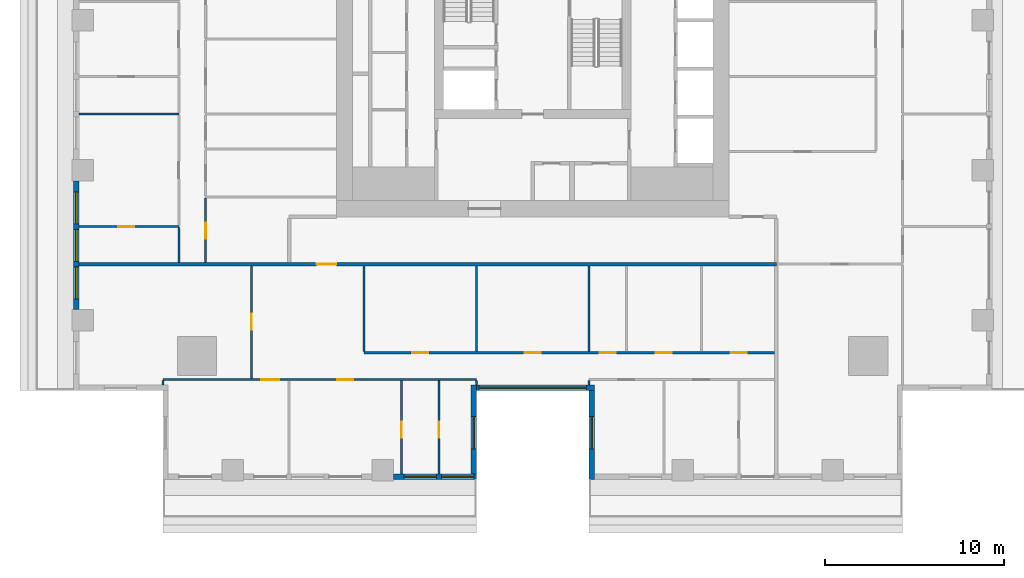
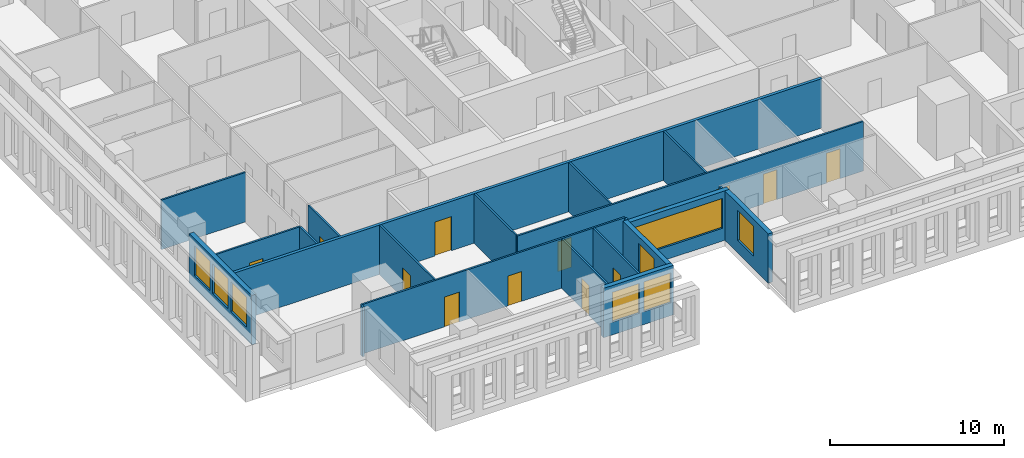
# One storey, part 2 of 15: 21 walls, 13 doors, 8 windows, 21 openings.
"""IFC4 building model written with IfcOpenShell, lengths in metres."""

from ifc_helpers import new_model, si_unit, direction, frame, frame_2d, origin, place, context, subcontext, project, spatial, rectangle, extrude, material, layer, layer_set, type_object, element, fill, save


model = new_model("IFC4")

# Units and contexts
model_context = context("Model", 3, precision=1e-05, world=origin(), true_north=direction((0.0, 1.0)))
body_context = subcontext(model_context, "Body", "Model", "MODEL_VIEW")
ifc_project = project(units=[si_unit("LENGTHUNIT", "METRE"), si_unit("AREAUNIT", "SQUARE_METRE"), si_unit("VOLUMEUNIT", "CUBIC_METRE"), si_unit("PLANEANGLEUNIT", "RADIAN"), si_unit("MASSUNIT", "GRAM", prefix="KILO")], contexts=[model_context])

# Site, building, storey
site_placement = place(None, origin())
site = spatial("IfcSite", under=ifc_project, at=site_placement, CompositionType="ELEMENT")
building_placement = place(site_placement, origin())
building = spatial("IfcBuilding", under=site, at=building_placement, Name="Khepri Terraces", CompositionType="ELEMENT")
storey_placement = place(building_placement, frame((0.0, 0.0, 244.5)))
storey = spatial("IfcBuildingStorey", under=building, at=storey_placement, Name="L58", CompositionType="ELEMENT", Elevation=244.5)

# Wall, opening, door
ifc_material_1 = material(Name="Fire-rated gypsum plasterboard partition, mineral wool")
ifc_layer_1 = layer(ifc_material_1, 0.199951171875, Name="Fire-rated gypsum plasterboard partition, mineral wool")
ifc_layer_set_1 = layer_set([ifc_layer_1], Name="Fire-rated gypsum plasterboard partition, mineral wool")
wall_type_1 = type_object("IfcWallType", Name="WL-CORR-200", PredefinedType="PARTITIONING", material=ifc_layer_set_1)
wall_1_placement = place(storey_placement, frame((-25.419921875, -13.64990234375, 0.0), z_axis=(0.0, 0.0, 1.0), x_axis=(1.0, 0.0, 0.0)))
wall_1 = element("IfcWall", 1, at=wall_1_placement, inside=storey, type_object=wall_type_1, Name="Partition P-020 L58", PredefinedType="PARTITIONING", context=body_context, shape_type="SweptSolid", body=[
    extrude(rectangle(XDim=39.06982421875, YDim=0.199951171875, at=frame_2d((19.534912109375, 0.0))), origin(), (0.0, 0.0, 1.0), 3.47998046875),
])
opening_1_placement = place(wall_1_placement, frame((13.320068359375, 0.0, 0.0)))
opening_1 = element("IfcOpeningElement", 2, at=opening_1_placement, cuts=wall_1, Name="Opening D1", PredefinedType="OPENING", context=body_context, shape_type="SweptSolid", body=[
    extrude(rectangle(XDim=1.10009765625, YDim=2.39990234375, at=frame_2d((0.550048828125, 1.199951171875))), frame((0.0, 0.10986328125, 0.0), z_axis=(0.0, -1.0, 0.0), x_axis=(1.0, 0.0, 0.0)), (0.0, 0.0, 1.0), 0.219970703125),
])
ifc_material_2 = material(Name="Solid-core timber door leaf, flat entrance door", Category="wood")
door_type_1 = type_object("IfcDoorType", Name="DR-ENT-1100", OperationType="NOTDEFINED", PredefinedType="DOOR", material=ifc_material_2)
door_1_placement = place(opening_1_placement, frame((1.10009765625, 0.0, 0.0), z_axis=(0.0, 0.0, 1.0), x_axis=(-1.0, 0.0, 0.0)))
door_1 = element("IfcDoor", 3, at=door_1_placement, inside=storey, type_object=door_type_1, Name="Flat A1 entrance door", OperationType="SINGLE_SWING_RIGHT", OverallHeight=2.39990234375, OverallWidth=1.10009765625, PredefinedType="DOOR", context=body_context, shape_type="SweptSolid", body=[
    extrude(rectangle(XDim=1.10009765625, YDim=2.39990234375, at=frame_2d((0.550048828125, 1.199951171875))), frame((0.0, 0.02490234375, 0.0), z_axis=(0.0, -1.0, 0.0), x_axis=(1.0, 0.0, 0.0)), (0.0, 0.0, 1.0), 0.050048828125),
])
fill(opening_1, door_1)

# Wall, openings, windows
ifc_material_3 = material(Name="Precast concrete C50/60 warm stone", Category="masonry")
ifc_layer_2 = layer(ifc_material_3, 0.300048828125, Name="Precast concrete C50/60 warm stone", Category="masonry")
ifc_layer_set_2 = layer_set([ifc_layer_2], Name="Precast concrete C50/60 warm stone")
wall_type_2 = type_object("IfcWallType", Name="WL-EXT-PRECAST-300", PredefinedType="STANDARD", material=ifc_layer_set_2)
wall_2_placement = place(storey_placement, frame((-25.570068359375, -9.0, 0.0), z_axis=(0.0, 0.0, 1.0), x_axis=(0.0, -1.0, 0.0)))
wall_2 = element("IfcWall", 4, at=wall_2_placement, inside=storey, type_object=wall_type_2, Name="External wall L58 W", PredefinedType="STANDARD", context=body_context, shape_type="SweptSolid", body=[
    extrude(rectangle(XDim=7.199951171875, YDim=0.300048828125, at=frame_2d((3.60009765625, 0.0))), origin(), (0.0, 0.0, 1.0), 3.47998046875),
])
opening_2_placement = place(wall_2_placement, frame((0.60009765625, 0.0, 0.89990234375)))
opening_2 = element("IfcOpeningElement", 5, at=opening_2_placement, cuts=wall_2, Name="Opening W1", PredefinedType="OPENING", context=body_context, shape_type="SweptSolid", body=[
    extrude(rectangle(XDim=1.800048828125, YDim=2.10009765625, at=frame_2d((0.89990234375, 1.050048828125))), frame((0.0, 0.16015625, 0.0), z_axis=(0.0, -1.0, 0.0), x_axis=(1.0, 0.0, 0.0)), (0.0, 0.0, 1.0), 0.320068359375),
])
opening_3_placement = place(wall_2_placement, frame((2.699951171875, 0.0, 0.89990234375)))
opening_3 = element("IfcOpeningElement", 6, at=opening_3_placement, cuts=wall_2, Name="Opening W1", PredefinedType="OPENING", context=body_context, shape_type="SweptSolid", body=[
    extrude(rectangle(XDim=1.800048828125, YDim=2.10009765625, at=frame_2d((0.89990234375, 1.050048828125))), frame((0.0, 0.16015625, 0.0), z_axis=(0.0, -1.0, 0.0), x_axis=(1.0, 0.0, 0.0)), (0.0, 0.0, 1.0), 0.320068359375),
])
opening_4_placement = place(wall_2_placement, frame((4.800048828125, 0.0, 0.89990234375)))
opening_4 = element("IfcOpeningElement", 7, at=opening_4_placement, cuts=wall_2, Name="Opening W1", PredefinedType="OPENING", context=body_context, shape_type="SweptSolid", body=[
    extrude(rectangle(XDim=1.800048828125, YDim=2.10009765625, at=frame_2d((0.89990234375, 1.050048828125))), frame((0.0, 0.16015625, 0.0), z_axis=(0.0, -1.0, 0.0), x_axis=(1.0, 0.0, 0.0)), (0.0, 0.0, 1.0), 0.320068359375),
])
ifc_material_4 = material(Name="Clear glass", Category="glass")
window_type_1 = type_object("IfcWindowType", Name="WIN-RES-1800x2100", PartitioningType="SINGLE_PANEL", PredefinedType="WINDOW", material=ifc_material_4)
window_1_placement = place(opening_2_placement, origin())
window_1 = element("IfcWindow", 8, at=window_1_placement, inside=storey, type_object=window_type_1, Name="Window L58 W", OverallHeight=2.10009765625, OverallWidth=1.800048828125, PartitioningType="SINGLE_PANEL", PredefinedType="WINDOW", context=body_context, shape_type="SweptSolid", body=[
    extrude(rectangle(XDim=1.800048828125, YDim=2.10009765625, at=frame_2d((0.89990234375, 1.050048828125))), frame((0.0, 0.030029296875, 0.0), z_axis=(0.0, -1.0, 0.0), x_axis=(1.0, 0.0, 0.0)), (0.0, 0.0, 1.0), 0.06005859375),
])
fill(opening_2, window_1)
window_2_placement = place(opening_3_placement, origin())
window_2 = element("IfcWindow", 9, at=window_2_placement, inside=storey, type_object=window_type_1, Name="Window L58 W", OverallHeight=2.10009765625, OverallWidth=1.800048828125, PartitioningType="SINGLE_PANEL", PredefinedType="WINDOW", context=body_context, shape_type="SweptSolid", body=[
    extrude(rectangle(XDim=1.800048828125, YDim=2.10009765625, at=frame_2d((0.89990234375, 1.050048828125))), frame((0.0, 0.030029296875, 0.0), z_axis=(0.0, -1.0, 0.0), x_axis=(1.0, 0.0, 0.0)), (0.0, 0.0, 1.0), 0.06005859375),
])
fill(opening_3, window_2)
window_3_placement = place(opening_4_placement, origin())
window_3 = element("IfcWindow", 10, at=window_3_placement, inside=storey, type_object=window_type_1, Name="Window L58 W", OverallHeight=2.10009765625, OverallWidth=1.800048828125, PartitioningType="SINGLE_PANEL", PredefinedType="WINDOW", context=body_context, shape_type="SweptSolid", body=[
    extrude(rectangle(XDim=1.800048828125, YDim=2.10009765625, at=frame_2d((0.89990234375, 1.050048828125))), frame((0.0, 0.030029296875, 0.0), z_axis=(0.0, -1.0, 0.0), x_axis=(1.0, 0.0, 0.0)), (0.0, 0.0, 1.0), 0.06005859375),
])
fill(opening_4, window_3)

wall_3_placement = place(storey_placement, frame((-7.800048828125, -25.570068359375, 0.0), z_axis=(0.0, 0.0, 1.0), x_axis=(1.0, 0.0, 0.0)))
wall_3 = element("IfcWall", 11, at=wall_3_placement, inside=storey, type_object=wall_type_2, Name="External wall L58 S", PredefinedType="STANDARD", context=body_context, shape_type="SweptSolid", body=[
    extrude(rectangle(XDim=4.650146484375, YDim=0.300048828125, at=frame_2d((2.3251953125, 0.0))), origin(), (0.0, 0.0, 1.0), 3.47998046875),
])
opening_5_placement = place(wall_3_placement, frame((0.60009765625, 0.0, 0.89990234375)))
opening_5 = element("IfcOpeningElement", 12, at=opening_5_placement, cuts=wall_3, Name="Opening W1", PredefinedType="OPENING", context=body_context, shape_type="SweptSolid", body=[
    extrude(rectangle(XDim=1.800048828125, YDim=2.10009765625, at=frame_2d((0.89990234375, 1.050048828125))), frame((0.0, 0.16015625, 0.0), z_axis=(0.0, -1.0, 0.0), x_axis=(1.0, 0.0, 0.0)), (0.0, 0.0, 1.0), 0.320068359375),
])
opening_6_placement = place(wall_3_placement, frame((2.699951171875, 0.0, 0.89990234375)))
opening_6 = element("IfcOpeningElement", 13, at=opening_6_placement, cuts=wall_3, Name="Opening W1", PredefinedType="OPENING", context=body_context, shape_type="SweptSolid", body=[
    extrude(rectangle(XDim=1.800048828125, YDim=2.10009765625, at=frame_2d((0.89990234375, 1.050048828125))), frame((0.0, 0.16015625, 0.0), z_axis=(0.0, -1.0, 0.0), x_axis=(1.0, 0.0, 0.0)), (0.0, 0.0, 1.0), 0.320068359375),
])
window_4_placement = place(opening_5_placement, origin())
window_4 = element("IfcWindow", 14, at=window_4_placement, inside=storey, type_object=window_type_1, Name="Window L58 S", OverallHeight=2.10009765625, OverallWidth=1.800048828125, PartitioningType="SINGLE_PANEL", PredefinedType="WINDOW", context=body_context, shape_type="SweptSolid", body=[
    extrude(rectangle(XDim=1.800048828125, YDim=2.10009765625, at=frame_2d((0.89990234375, 1.050048828125))), frame((0.0, 0.030029296875, 0.0), z_axis=(0.0, -1.0, 0.0), x_axis=(1.0, 0.0, 0.0)), (0.0, 0.0, 1.0), 0.06005859375),
])
fill(opening_5, window_4)
window_5_placement = place(opening_6_placement, origin())
window_5 = element("IfcWindow", 15, at=window_5_placement, inside=storey, type_object=window_type_1, Name="Window L58 S", OverallHeight=2.10009765625, OverallWidth=1.800048828125, PartitioningType="SINGLE_PANEL", PredefinedType="WINDOW", context=body_context, shape_type="SweptSolid", body=[
    extrude(rectangle(XDim=1.800048828125, YDim=2.10009765625, at=frame_2d((0.89990234375, 1.050048828125))), frame((0.0, 0.030029296875, 0.0), z_axis=(0.0, -1.0, 0.0), x_axis=(1.0, 0.0, 0.0)), (0.0, 0.0, 1.0), 0.06005859375),
])
fill(opening_6, window_5)

# Wall, opening, window
wall_4_placement = place(storey_placement, frame((-3.300048828125, -25.419921875, 0.0), z_axis=(0.0, 0.0, 1.0), x_axis=(0.0, 1.0, 0.0)))
wall_4 = element("IfcWall", 16, at=wall_4_placement, inside=storey, type_object=wall_type_2, Name="External wall L58 E", PredefinedType="STANDARD", context=body_context, shape_type="SweptSolid", body=[
    extrude(rectangle(XDim=5.0, YDim=0.300048828125, at=frame_2d((2.5, 0.0))), origin(), (0.0, 0.0, 1.0), 3.47998046875),
])
opening_7_placement = place(wall_4_placement, frame((1.419921875, 0.0, 0.89990234375)))
opening_7 = element("IfcOpeningElement", 17, at=opening_7_placement, cuts=wall_4, Name="Opening W1", PredefinedType="OPENING", context=body_context, shape_type="SweptSolid", body=[
    extrude(rectangle(XDim=1.800048828125, YDim=2.10009765625, at=frame_2d((0.89990234375, 1.050048828125))), frame((0.0, 0.16015625, 0.0), z_axis=(0.0, -1.0, 0.0), x_axis=(1.0, 0.0, 0.0)), (0.0, 0.0, 1.0), 0.320068359375),
])
window_6_placement = place(opening_7_placement, origin())
window_6 = element("IfcWindow", 18, at=window_6_placement, inside=storey, type_object=window_type_1, Name="Window L58 E", OverallHeight=2.10009765625, OverallWidth=1.800048828125, PartitioningType="SINGLE_PANEL", PredefinedType="WINDOW", context=body_context, shape_type="SweptSolid", body=[
    extrude(rectangle(XDim=1.800048828125, YDim=2.10009765625, at=frame_2d((0.89990234375, 1.050048828125))), frame((0.0, 0.030029296875, 0.0), z_axis=(0.0, -1.0, 0.0), x_axis=(1.0, 0.0, 0.0)), (0.0, 0.0, 1.0), 0.06005859375),
])
fill(opening_7, window_6)

wall_5_placement = place(storey_placement, frame((-3.14990234375, -20.570068359375, 0.0), z_axis=(0.0, 0.0, 1.0), x_axis=(1.0, 0.0, 0.0)))
wall_5 = element("IfcWall", 19, at=wall_5_placement, inside=storey, type_object=wall_type_2, Name="External wall L58 S", PredefinedType="STANDARD", context=body_context, shape_type="SweptSolid", body=[
    extrude(rectangle(XDim=6.599853515625, YDim=0.300048828125, at=frame_2d((3.2998046875, 0.0))), origin(), (0.0, 0.0, 1.0), 3.47998046875),
])
opening_8_placement = place(wall_5_placement, frame((0.14990234375, 0.0, 0.89990234375)))
opening_8 = element("IfcOpeningElement", 20, at=opening_8_placement, cuts=wall_5, Name="Opening W3", PredefinedType="OPENING", context=body_context, shape_type="SweptSolid", body=[
    extrude(rectangle(XDim=6.0, YDim=2.10009765625, at=frame_2d((3.0, 1.050048828125))), frame((0.0, 0.16015625, 0.0), z_axis=(0.0, -1.0, 0.0), x_axis=(1.0, 0.0, 0.0)), (0.0, 0.0, 1.0), 0.320068359375),
])
window_type_2 = type_object("IfcWindowType", Name="WIN-RES-6000x2100", PartitioningType="SINGLE_PANEL", PredefinedType="WINDOW", material=ifc_material_4)
window_7_placement = place(opening_8_placement, origin())
window_7 = element("IfcWindow", 21, at=window_7_placement, inside=storey, type_object=window_type_2, Name="Window L58 S", OverallHeight=2.10009765625, OverallWidth=6.0, PartitioningType="SINGLE_PANEL", PredefinedType="WINDOW", context=body_context, shape_type="SweptSolid", body=[
    extrude(rectangle(XDim=6.0, YDim=2.10009765625, at=frame_2d((3.0, 1.050048828125))), frame((0.0, 0.030029296875, 0.0), z_axis=(0.0, -1.0, 0.0), x_axis=(1.0, 0.0, 0.0)), (0.0, 0.0, 1.0), 0.06005859375),
])
fill(opening_8, window_7)

wall_6_placement = place(storey_placement, frame((3.300048828125, -20.719970703125, 0.0), z_axis=(0.0, 0.0, 1.0), x_axis=(0.0, -1.0, 0.0)))
wall_6 = element("IfcWall", 22, at=wall_6_placement, inside=storey, type_object=wall_type_2, Name="External wall L58 W", PredefinedType="STANDARD", context=body_context, shape_type="SweptSolid", body=[
    extrude(rectangle(XDim=5.0, YDim=0.300048828125, at=frame_2d((2.5, 0.0))), origin(), (0.0, 0.0, 1.0), 3.47998046875),
])
opening_9_placement = place(wall_6_placement, frame((1.47998046875, 0.0, 0.89990234375)))
opening_9 = element("IfcOpeningElement", 23, at=opening_9_placement, cuts=wall_6, Name="Opening W1", PredefinedType="OPENING", context=body_context, shape_type="SweptSolid", body=[
    extrude(rectangle(XDim=1.800048828125, YDim=2.10009765625, at=frame_2d((0.89990234375, 1.050048828125))), frame((0.0, 0.16015625, 0.0), z_axis=(0.0, -1.0, 0.0), x_axis=(1.0, 0.0, 0.0)), (0.0, 0.0, 1.0), 0.320068359375),
])
window_8_placement = place(opening_9_placement, origin())
window_8 = element("IfcWindow", 24, at=window_8_placement, inside=storey, type_object=window_type_1, Name="Window L58 W", OverallHeight=2.10009765625, OverallWidth=1.800048828125, PartitioningType="SINGLE_PANEL", PredefinedType="WINDOW", context=body_context, shape_type="SweptSolid", body=[
    extrude(rectangle(XDim=1.800048828125, YDim=2.10009765625, at=frame_2d((0.89990234375, 1.050048828125))), frame((0.0, 0.030029296875, 0.0), z_axis=(0.0, -1.0, 0.0), x_axis=(1.0, 0.0, 0.0)), (0.0, 0.0, 1.0), 0.06005859375),
])
fill(opening_9, window_8)

# Wall, opening, door
ifc_material_5 = material(Name="Gypsum plasterboard partition")
ifc_layer_3 = layer(ifc_material_5, 0.1201171875, Name="Gypsum plasterboard partition")
ifc_layer_set_3 = layer_set([ifc_layer_3], Name="Gypsum plasterboard partition")
wall_type_3 = type_object("IfcWallType", Name="WL-PART-120", PredefinedType="PARTITIONING", material=ifc_layer_set_3)
wall_7_placement = place(storey_placement, frame((-7.35009765625, -25.419921875, 0.0), z_axis=(0.0, 0.0, 1.0), x_axis=(0.0, 1.0, 0.0)))
wall_7 = element("IfcWall", 25, at=wall_7_placement, inside=storey, type_object=wall_type_3, Name="Partition P-002 L58", PredefinedType="PARTITIONING", context=body_context, shape_type="SweptSolid", body=[
    extrude(rectangle(XDim=5.239990234375, YDim=0.1201171875, at=frame_2d((2.6201171875, 0.0))), origin(), (0.0, 0.0, 1.0), 3.47998046875),
])
opening_10_placement = place(wall_7_placement, frame((2.050048828125, 0.0, 0.0)))
opening_10 = element("IfcOpeningElement", 26, at=opening_10_placement, cuts=wall_7, Name="Opening D3", PredefinedType="OPENING", context=body_context, shape_type="SweptSolid", body=[
    extrude(rectangle(XDim=0.89990234375, YDim=2.10009765625, at=frame_2d((0.449951171875, 1.050048828125))), frame((0.0, 0.070068359375, 0.0), z_axis=(0.0, -1.0, 0.0), x_axis=(1.0, 0.0, 0.0)), (0.0, 0.0, 1.0), 0.14013671875),
])
ifc_material_6 = material(Name="Timber door leaf", Category="wood")
door_type_2 = type_object("IfcDoorType", Name="DR-INT-900", OperationType="NOTDEFINED", PredefinedType="DOOR", material=ifc_material_6)
door_2_placement = place(opening_10_placement, frame((0.89990234375, 0.0, 0.0), z_axis=(0.0, 0.0, 1.0), x_axis=(-1.0, 0.0, 0.0)))
door_2 = element("IfcDoor", 27, at=door_2_placement, inside=storey, type_object=door_type_2, Name="Door Dressing Room", OperationType="SINGLE_SWING_RIGHT", OverallHeight=2.10009765625, OverallWidth=0.89990234375, PredefinedType="DOOR", context=body_context, shape_type="SweptSolid", body=[
    extrude(rectangle(XDim=0.89990234375, YDim=2.10009765625, at=frame_2d((0.449951171875, 1.050048828125))), frame((0.0, 0.02490234375, 0.0), z_axis=(0.0, -1.0, 0.0), x_axis=(1.0, 0.0, 0.0)), (0.0, 0.0, 1.0), 0.050048828125),
])
fill(opening_10, door_2)

wall_8_placement = place(storey_placement, frame((-5.25, -25.419921875, 0.0), z_axis=(0.0, 0.0, 1.0), x_axis=(0.0, 1.0, 0.0)))
wall_8 = element("IfcWall", 28, at=wall_8_placement, inside=storey, type_object=wall_type_3, Name="Partition P-003 L58", PredefinedType="PARTITIONING", context=body_context, shape_type="SweptSolid", body=[
    extrude(rectangle(XDim=5.239990234375, YDim=0.1201171875, at=frame_2d((2.6201171875, 0.0))), origin(), (0.0, 0.0, 1.0), 3.47998046875),
])
opening_11_placement = place(wall_8_placement, frame((2.050048828125, 0.0, 0.0)))
opening_11 = element("IfcOpeningElement", 29, at=opening_11_placement, cuts=wall_8, Name="Opening D4", PredefinedType="OPENING", context=body_context, shape_type="SweptSolid", body=[
    extrude(rectangle(XDim=0.89990234375, YDim=2.10009765625, at=frame_2d((0.449951171875, 1.050048828125))), frame((0.0, 0.070068359375, 0.0), z_axis=(0.0, -1.0, 0.0), x_axis=(1.0, 0.0, 0.0)), (0.0, 0.0, 1.0), 0.14013671875),
])
ifc_material_7 = material(Name="Timber door leaf, moisture resistant", Category="wood")
door_type_3 = type_object("IfcDoorType", Name="DR-WET-900", OperationType="NOTDEFINED", PredefinedType="DOOR", material=ifc_material_7)
door_3_placement = place(opening_11_placement, frame((0.89990234375, 0.0, 0.0), z_axis=(0.0, 0.0, 1.0), x_axis=(-1.0, 0.0, 0.0)))
door_3 = element("IfcDoor", 30, at=door_3_placement, inside=storey, type_object=door_type_3, Name="Door Bathroom", OperationType="SINGLE_SWING_RIGHT", OverallHeight=2.10009765625, OverallWidth=0.89990234375, PredefinedType="DOOR", context=body_context, shape_type="SweptSolid", body=[
    extrude(rectangle(XDim=0.89990234375, YDim=2.10009765625, at=frame_2d((0.449951171875, 1.050048828125))), frame((0.0, 0.02490234375, 0.0), z_axis=(0.0, -1.0, 0.0), x_axis=(1.0, 0.0, 0.0)), (0.0, 0.0, 1.0), 0.050048828125),
])
fill(opening_11, door_3)

# Walls
wall_9_placement = place(storey_placement, frame((-20.718994140625, -20.4208984375, 0.0), z_axis=(0.0, 0.0, 1.0), x_axis=(0.0, 1.0, 0.0)))
element("IfcWall", 31, at=wall_9_placement, inside=storey, type_object=wall_type_3, Name="Partition P-007 L58", PredefinedType="PARTITIONING", context=body_context, shape_type="SweptSolid", body=[
    extrude(rectangle(XDim=0.240966796875, YDim=0.1201171875, at=frame_2d((0.12060546875, 0.0))), origin(), (0.0, 0.0, 1.0), 3.47998046875),
])
for number, where, z_axis, x_axis, name in (
    (32, (-3.14990234375, -20.419921875, 0.0), (0.0, 0.0, 1.0), (0.0, 1.0, 0.0), "Partition P-008 L58"),
    (33, (3.14990234375, -20.419921875, 0.0), (0.0, 0.0, 1.0), (0.0, 1.0, 0.0), "Partition P-009 L58"),
):
    element("IfcWall", number, at=place(storey_placement, frame(where, z_axis=z_axis, x_axis=x_axis)), inside=storey, type_object=wall_type_3, Name=name, PredefinedType="PARTITIONING", context=body_context, shape_type="SweptSolid", body=[
        extrude(rectangle(XDim=0.239990234375, YDim=0.1201171875, at=frame_2d((0.1201171875, 0.0))), origin(), (0.0, 0.0, 1.0), 3.47998046875),
    ])

# Wall, openings, doors
wall_10_placement = place(storey_placement, frame((-20.718994140625, -20.1201171875, 0.0), z_axis=(0.0, 0.0, 1.0), x_axis=(1.0, 0.0, 0.0)))
wall_10 = element("IfcWall", 34, at=wall_10_placement, inside=storey, type_object=wall_type_3, Name="Partition P-011 L58", PredefinedType="PARTITIONING", context=body_context, shape_type="SweptSolid", body=[
    extrude(rectangle(XDim=17.569091796875, YDim=0.1201171875, at=frame_2d((8.78466796875, 0.0))), origin(), (0.0, 0.0, 1.0), 3.47998046875),
])
opening_12_placement = place(wall_10_placement, frame((5.51904296875, 0.0, 0.0)))
opening_12 = element("IfcOpeningElement", 35, at=opening_12_placement, cuts=wall_10, Name="Opening D2", PredefinedType="OPENING", context=body_context, shape_type="SweptSolid", body=[
    extrude(rectangle(XDim=1.0, YDim=2.10009765625, at=frame_2d((0.5, 1.050048828125))), frame((0.0, 0.070068359375, 0.0), z_axis=(0.0, -1.0, 0.0), x_axis=(1.0, 0.0, 0.0)), (0.0, 0.0, 1.0), 0.14013671875),
])
opening_13_placement = place(wall_10_placement, frame((9.76904296875, 0.0, 0.0)))
opening_13 = element("IfcOpeningElement", 36, at=opening_13_placement, cuts=wall_10, Name="Opening D3", PredefinedType="OPENING", context=body_context, shape_type="SweptSolid", body=[
    extrude(rectangle(XDim=0.89990234375, YDim=2.10009765625, at=frame_2d((0.449951171875, 1.050048828125))), frame((0.0, 0.070068359375, 0.0), z_axis=(0.0, -1.0, 0.0), x_axis=(1.0, 0.0, 0.0)), (0.0, 0.0, 1.0), 0.14013671875),
])
ifc_material_8 = material(Name="Timber door leaf, living room door", Category="wood")
door_type_4 = type_object("IfcDoorType", Name="DR-INT-1000", OperationType="NOTDEFINED", PredefinedType="DOOR", material=ifc_material_8)
door_4_placement = place(opening_12_placement, frame((1.0, 0.0, 0.0), z_axis=(0.0, 0.0, 1.0), x_axis=(-1.0, 0.0, 0.0)))
door_4 = element("IfcDoor", 37, at=door_4_placement, inside=storey, type_object=door_type_4, Name="Door Living Room", OperationType="SINGLE_SWING_RIGHT", OverallHeight=2.10009765625, OverallWidth=1.0, PredefinedType="DOOR", context=body_context, shape_type="SweptSolid", body=[
    extrude(rectangle(XDim=1.0, YDim=2.10009765625, at=frame_2d((0.5, 1.050048828125))), frame((0.0, 0.02490234375, 0.0), z_axis=(0.0, -1.0, 0.0), x_axis=(1.0, 0.0, 0.0)), (0.0, 0.0, 1.0), 0.050048828125),
])
fill(opening_12, door_4)
door_5_placement = place(opening_13_placement, frame((0.89990234375, 0.0, 0.0), z_axis=(0.0, 0.0, 1.0), x_axis=(-1.0, 0.0, 0.0)))
door_5 = element("IfcDoor", 38, at=door_5_placement, inside=storey, type_object=door_type_2, Name="Door Master Bedroom", OperationType="SINGLE_SWING_LEFT", OverallHeight=2.10009765625, OverallWidth=0.89990234375, PredefinedType="DOOR", context=body_context, shape_type="SweptSolid", body=[
    extrude(rectangle(XDim=0.89990234375, YDim=2.10009765625, at=frame_2d((0.449951171875, 1.050048828125))), frame((0.0, 0.02490234375, 0.0), z_axis=(0.0, -1.0, 0.0), x_axis=(1.0, 0.0, 0.0)), (0.0, 0.0, 1.0), 0.050048828125),
])
fill(opening_13, door_5)

# Wall, opening, door
wall_11_placement = place(storey_placement, frame((-15.75, -20.06005859375, 0.0), z_axis=(0.0, 0.0, 1.0), x_axis=(0.0, 1.0, 0.0)))
wall_11 = element("IfcWall", 39, at=wall_11_placement, inside=storey, type_object=wall_type_3, Name="Partition P-013 L58", PredefinedType="PARTITIONING", context=body_context, shape_type="SweptSolid", body=[
    extrude(rectangle(XDim=6.31005859375, YDim=0.1201171875, at=frame_2d((3.155029296875, 0.0))), origin(), (0.0, 0.0, 1.0), 3.47998046875),
])
opening_14_placement = place(wall_11_placement, frame((2.72509765625, 0.0, 0.0)))
opening_14 = element("IfcOpeningElement", 40, at=opening_14_placement, cuts=wall_11, Name="Opening D3", PredefinedType="OPENING", context=body_context, shape_type="SweptSolid", body=[
    extrude(rectangle(XDim=0.89990234375, YDim=2.10009765625, at=frame_2d((0.449951171875, 1.050048828125))), frame((0.0, 0.070068359375, 0.0), z_axis=(0.0, -1.0, 0.0), x_axis=(1.0, 0.0, 0.0)), (0.0, 0.0, 1.0), 0.14013671875),
])
door_6_placement = place(opening_14_placement, origin())
door_6 = element("IfcDoor", 41, at=door_6_placement, inside=storey, type_object=door_type_2, Name="Door Home Cinema", OperationType="SINGLE_SWING_RIGHT", OverallHeight=2.10009765625, OverallWidth=0.89990234375, PredefinedType="DOOR", context=body_context, shape_type="SweptSolid", body=[
    extrude(rectangle(XDim=0.89990234375, YDim=2.10009765625, at=frame_2d((0.449951171875, 1.050048828125))), frame((0.0, 0.02490234375, 0.0), z_axis=(0.0, -1.0, 0.0), x_axis=(1.0, 0.0, 0.0)), (0.0, 0.0, 1.0), 0.050048828125),
])
fill(opening_14, door_6)

# Wall, openings, doors
wall_12_placement = place(storey_placement, frame((-9.449951171875, -18.6201171875, 0.0), z_axis=(0.0, 0.0, 1.0), x_axis=(1.0, 0.0, 0.0)))
wall_12 = element("IfcWall", 42, at=wall_12_placement, inside=storey, type_object=wall_type_3, Name="Partition P-014 L58", PredefinedType="PARTITIONING", context=body_context, shape_type="SweptSolid", body=[
    extrude(rectangle(XDim=23.0, YDim=0.1201171875, at=frame_2d((11.5, 0.0))), origin(), (0.0, 0.0, 1.0), 3.47998046875),
])
opening_15_placement = place(wall_12_placement, frame((2.699951171875, 0.0, 0.0)))
opening_15 = element("IfcOpeningElement", 43, at=opening_15_placement, cuts=wall_12, Name="Opening D3", PredefinedType="OPENING", context=body_context, shape_type="SweptSolid", body=[
    extrude(rectangle(XDim=0.89990234375, YDim=2.10009765625, at=frame_2d((0.449951171875, 1.050048828125))), frame((0.0, 0.070068359375, 0.0), z_axis=(0.0, -1.0, 0.0), x_axis=(1.0, 0.0, 0.0)), (0.0, 0.0, 1.0), 0.14013671875),
])
opening_16_placement = place(wall_12_placement, frame((9.0, 0.0, 0.0)))
opening_16 = element("IfcOpeningElement", 44, at=opening_16_placement, cuts=wall_12, Name="Opening D3", PredefinedType="OPENING", context=body_context, shape_type="SweptSolid", body=[
    extrude(rectangle(XDim=0.89990234375, YDim=2.10009765625, at=frame_2d((0.449951171875, 1.050048828125))), frame((0.0, 0.070068359375, 0.0), z_axis=(0.0, -1.0, 0.0), x_axis=(1.0, 0.0, 0.0)), (0.0, 0.0, 1.0), 0.14013671875),
])
opening_17_placement = place(wall_12_placement, frame((13.199951171875, 0.0, 0.0)))
opening_17 = element("IfcOpeningElement", 45, at=opening_17_placement, cuts=wall_12, Name="Opening D4", PredefinedType="OPENING", context=body_context, shape_type="SweptSolid", body=[
    extrude(rectangle(XDim=0.89990234375, YDim=2.10009765625, at=frame_2d((0.449951171875, 1.050048828125))), frame((0.0, 0.070068359375, 0.0), z_axis=(0.0, -1.0, 0.0), x_axis=(1.0, 0.0, 0.0)), (0.0, 0.0, 1.0), 0.14013671875),
])
opening_18_placement = place(wall_12_placement, frame((16.35009765625, 0.0, 0.0)))
opening_18 = element("IfcOpeningElement", 46, at=opening_18_placement, cuts=wall_12, Name="Opening D4", PredefinedType="OPENING", context=body_context, shape_type="SweptSolid", body=[
    extrude(rectangle(XDim=0.89990234375, YDim=2.10009765625, at=frame_2d((0.449951171875, 1.050048828125))), frame((0.0, 0.070068359375, 0.0), z_axis=(0.0, -1.0, 0.0), x_axis=(1.0, 0.0, 0.0)), (0.0, 0.0, 1.0), 0.14013671875),
])
opening_19_placement = place(wall_12_placement, frame((20.550048828125, 0.0, 0.0)))
opening_19 = element("IfcOpeningElement", 47, at=opening_19_placement, cuts=wall_12, Name="Opening D3", PredefinedType="OPENING", context=body_context, shape_type="SweptSolid", body=[
    extrude(rectangle(XDim=0.89990234375, YDim=2.10009765625, at=frame_2d((0.449951171875, 1.050048828125))), frame((0.0, 0.070068359375, 0.0), z_axis=(0.0, -1.0, 0.0), x_axis=(1.0, 0.0, 0.0)), (0.0, 0.0, 1.0), 0.14013671875),
])
door_7_placement = place(opening_15_placement, origin())
door_7 = element("IfcDoor", 48, at=door_7_placement, inside=storey, type_object=door_type_2, Name="Door Kitchen", OperationType="SINGLE_SWING_LEFT", OverallHeight=2.10009765625, OverallWidth=0.89990234375, PredefinedType="DOOR", context=body_context, shape_type="SweptSolid", body=[
    extrude(rectangle(XDim=0.89990234375, YDim=2.10009765625, at=frame_2d((0.449951171875, 1.050048828125))), frame((0.0, 0.02490234375, 0.0), z_axis=(0.0, -1.0, 0.0), x_axis=(1.0, 0.0, 0.0)), (0.0, 0.0, 1.0), 0.050048828125),
])
fill(opening_15, door_7)
door_8_placement = place(opening_16_placement, origin())
door_8 = element("IfcDoor", 49, at=door_8_placement, inside=storey, type_object=door_type_2, Name="Door Staff Bedroom", OperationType="SINGLE_SWING_LEFT", OverallHeight=2.10009765625, OverallWidth=0.89990234375, PredefinedType="DOOR", context=body_context, shape_type="SweptSolid", body=[
    extrude(rectangle(XDim=0.89990234375, YDim=2.10009765625, at=frame_2d((0.449951171875, 1.050048828125))), frame((0.0, 0.02490234375, 0.0), z_axis=(0.0, -1.0, 0.0), x_axis=(1.0, 0.0, 0.0)), (0.0, 0.0, 1.0), 0.050048828125),
])
fill(opening_16, door_8)
door_9_placement = place(opening_19_placement, origin())
door_9 = element("IfcDoor", 50, at=door_9_placement, inside=storey, type_object=door_type_2, Name="Door Library", OperationType="SINGLE_SWING_RIGHT", OverallHeight=2.10009765625, OverallWidth=0.89990234375, PredefinedType="DOOR", context=body_context, shape_type="SweptSolid", body=[
    extrude(rectangle(XDim=0.89990234375, YDim=2.10009765625, at=frame_2d((0.449951171875, 1.050048828125))), frame((0.0, 0.02490234375, 0.0), z_axis=(0.0, -1.0, 0.0), x_axis=(1.0, 0.0, 0.0)), (0.0, 0.0, 1.0), 0.050048828125),
])
fill(opening_19, door_9)
door_10_placement = place(opening_17_placement, origin())
door_10 = element("IfcDoor", 51, at=door_10_placement, inside=storey, type_object=door_type_3, Name="Door Powder Room", OperationType="SINGLE_SWING_RIGHT", OverallHeight=2.10009765625, OverallWidth=0.89990234375, PredefinedType="DOOR", context=body_context, shape_type="SweptSolid", body=[
    extrude(rectangle(XDim=0.89990234375, YDim=2.10009765625, at=frame_2d((0.449951171875, 1.050048828125))), frame((0.0, 0.02490234375, 0.0), z_axis=(0.0, -1.0, 0.0), x_axis=(1.0, 0.0, 0.0)), (0.0, 0.0, 1.0), 0.050048828125),
])
fill(opening_17, door_10)
door_11_placement = place(opening_18_placement, origin())
door_11 = element("IfcDoor", 52, at=door_11_placement, inside=storey, type_object=door_type_3, Name="Door Guest Bathroom", OperationType="SINGLE_SWING_RIGHT", OverallHeight=2.10009765625, OverallWidth=0.89990234375, PredefinedType="DOOR", context=body_context, shape_type="SweptSolid", body=[
    extrude(rectangle(XDim=0.89990234375, YDim=2.10009765625, at=frame_2d((0.449951171875, 1.050048828125))), frame((0.0, 0.02490234375, 0.0), z_axis=(0.0, -1.0, 0.0), x_axis=(1.0, 0.0, 0.0)), (0.0, 0.0, 1.0), 0.050048828125),
])
fill(opening_18, door_11)

# Walls
for number, where, z_axis, x_axis, name in (
    (53, (-9.449951171875, -18.56005859375, 0.0), (0.0, 0.0, 1.0), (0.0, 1.0, 0.0), "Partition P-015 L58"),
    (54, (-3.14990234375, -18.56005859375, 0.0), (0.0, 0.0, 1.0), (0.0, 1.0, 0.0), "Partition P-016 L58"),
    (55, (3.14990234375, -18.56005859375, 0.0), (0.0, 0.0, 1.0), (0.0, 1.0, 0.0), "Partition P-017 L58"),
):
    element("IfcWall", number, at=place(storey_placement, frame(where, z_axis=z_axis, x_axis=x_axis)), inside=storey, type_object=wall_type_3, Name=name, PredefinedType="PARTITIONING", context=body_context, shape_type="SweptSolid", body=[
        extrude(rectangle(XDim=4.81005859375, YDim=0.1201171875, at=frame_2d((2.405029296875, 0.0))), origin(), (0.0, 0.0, 1.0), 3.47998046875),
    ])
wall_13_placement = place(storey_placement, frame((-19.820068359375, -13.550048828125, 0.0), z_axis=(0.0, 0.0, 1.0), x_axis=(0.0, 1.0, 0.0)))
element("IfcWall", 56, at=wall_13_placement, inside=storey, type_object=wall_type_3, Name="Partition P-023 L58", PredefinedType="PARTITIONING", context=body_context, shape_type="SweptSolid", body=[
    extrude(rectangle(XDim=1.93994140625, YDim=0.1201171875, at=frame_2d((0.969970703125, 0.0))), origin(), (0.0, 0.0, 1.0), 3.47998046875),
])

# Wall, opening, door
wall_14_placement = place(storey_placement, frame((-18.320068359375, -13.550048828125, 0.0), z_axis=(0.0, 0.0, 1.0), x_axis=(0.0, 1.0, 0.0)))
wall_14 = element("IfcWall", 57, at=wall_14_placement, inside=storey, type_object=wall_type_3, Name="Partition P-024 L58", PredefinedType="PARTITIONING", context=body_context, shape_type="SweptSolid", body=[
    extrude(rectangle(XDim=3.590087890625, YDim=0.1201171875, at=frame_2d((1.794921875, 0.0))), origin(), (0.0, 0.0, 1.0), 3.47998046875),
])
opening_20_placement = place(wall_14_placement, frame((1.324951171875, 0.0, 0.0)))
opening_20 = element("IfcOpeningElement", 58, at=opening_20_placement, cuts=wall_14, Name="Opening D3", PredefinedType="OPENING", context=body_context, shape_type="SweptSolid", body=[
    extrude(rectangle(XDim=0.89990234375, YDim=2.10009765625, at=frame_2d((0.449951171875, 1.050048828125))), frame((0.0, 0.070068359375, 0.0), z_axis=(0.0, -1.0, 0.0), x_axis=(1.0, 0.0, 0.0)), (0.0, 0.0, 1.0), 0.14013671875),
])
door_12_placement = place(opening_20_placement, frame((0.89990234375, 0.0, 0.0), z_axis=(0.0, 0.0, 1.0), x_axis=(-1.0, 0.0, 0.0)))
door_12 = element("IfcDoor", 59, at=door_12_placement, inside=storey, type_object=door_type_2, Name="Door Library", OperationType="SINGLE_SWING_RIGHT", OverallHeight=2.10009765625, OverallWidth=0.89990234375, PredefinedType="DOOR", context=body_context, shape_type="SweptSolid", body=[
    extrude(rectangle(XDim=0.89990234375, YDim=2.10009765625, at=frame_2d((0.449951171875, 1.050048828125))), frame((0.0, 0.02490234375, 0.0), z_axis=(0.0, -1.0, 0.0), x_axis=(1.0, 0.0, 0.0)), (0.0, 0.0, 1.0), 0.050048828125),
])
fill(opening_20, door_12)

wall_15_placement = place(storey_placement, frame((-25.419921875, -11.550048828125, 0.0), z_axis=(0.0, 0.0, 1.0), x_axis=(1.0, 0.0, 0.0)))
wall_15 = element("IfcWall", 60, at=wall_15_placement, inside=storey, type_object=wall_type_3, Name="Partition P-027 L58", PredefinedType="PARTITIONING", context=body_context, shape_type="SweptSolid", body=[
    extrude(rectangle(XDim=5.599853515625, YDim=0.1201171875, at=frame_2d((2.7998046875, 0.0))), origin(), (0.0, 0.0, 1.0), 3.47998046875),
])
opening_21_placement = place(wall_15_placement, frame((2.199951171875, 0.0, 0.0)))
opening_21 = element("IfcOpeningElement", 61, at=opening_21_placement, cuts=wall_15, Name="Opening D4", PredefinedType="OPENING", context=body_context, shape_type="SweptSolid", body=[
    extrude(rectangle(XDim=0.89990234375, YDim=2.10009765625, at=frame_2d((0.449951171875, 1.050048828125))), frame((0.0, 0.070068359375, 0.0), z_axis=(0.0, -1.0, 0.0), x_axis=(1.0, 0.0, 0.0)), (0.0, 0.0, 1.0), 0.14013671875),
])
door_13_placement = place(opening_21_placement, frame((0.89990234375, 0.0, 0.0), z_axis=(0.0, 0.0, 1.0), x_axis=(-1.0, 0.0, 0.0)))
door_13 = element("IfcDoor", 62, at=door_13_placement, inside=storey, type_object=door_type_3, Name="Door Bathroom", OperationType="SINGLE_SWING_RIGHT", OverallHeight=2.10009765625, OverallWidth=0.89990234375, PredefinedType="DOOR", context=body_context, shape_type="SweptSolid", body=[
    extrude(rectangle(XDim=0.89990234375, YDim=2.10009765625, at=frame_2d((0.449951171875, 1.050048828125))), frame((0.0, 0.02490234375, 0.0), z_axis=(0.0, -1.0, 0.0), x_axis=(1.0, 0.0, 0.0)), (0.0, 0.0, 1.0), 0.050048828125),
])
fill(opening_21, door_13)

# Wall
wall_16_placement = place(storey_placement, frame((-25.419921875, -5.25, 0.0), z_axis=(0.0, 0.0, 1.0), x_axis=(1.0, 0.0, 0.0)))
element("IfcWall", 63, at=wall_16_placement, inside=storey, type_object=wall_type_3, Name="Partition P-039 L58", PredefinedType="PARTITIONING", context=body_context, shape_type="SweptSolid", body=[
    extrude(rectangle(XDim=5.599853515625, YDim=0.1201171875, at=frame_2d((2.7998046875, 0.0))), origin(), (0.0, 0.0, 1.0), 3.47998046875),
])

save(model, "model.ifc")
